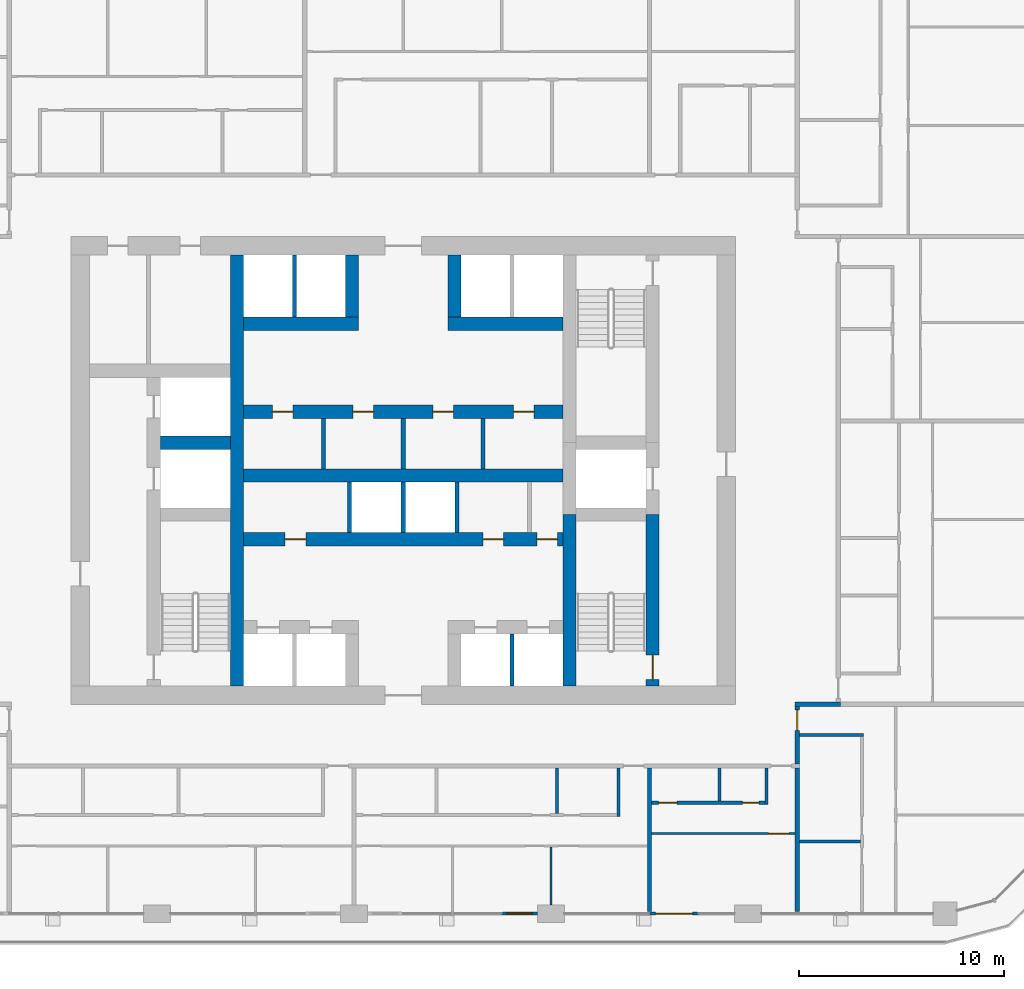
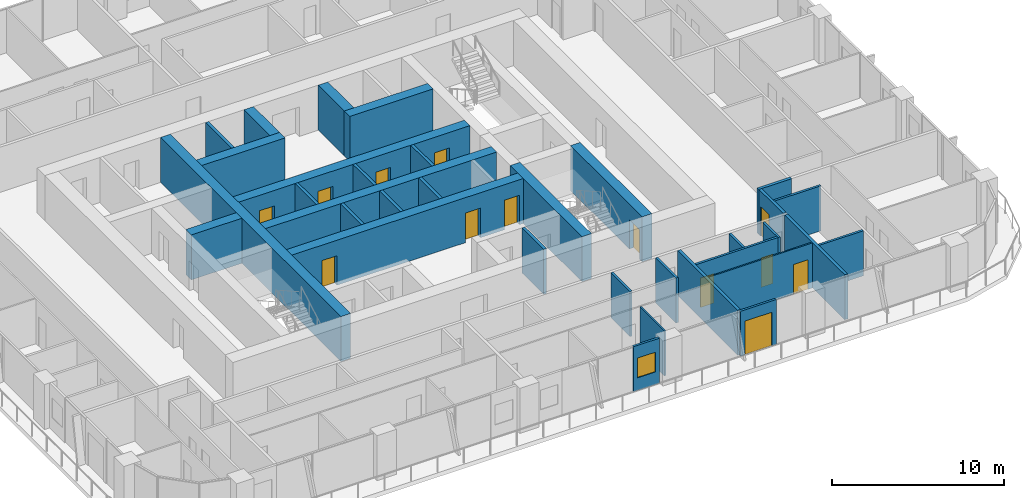
# One storey, part 11 of 21: 34 walls, 13 doors, 1 window, 14 openings.
"""IFC4 building model written with IfcOpenShell, lengths in metres."""

from ifc_helpers import new_model, si_unit, direction, frame, frame_2d, origin, place, context, subcontext, project, spatial, rectangle, extrude, material, layer, layer_set, type_object, element, fill, save


model = new_model("IFC4")

# Units and contexts
model_context = context("Model", 3, precision=1e-05, world=origin(), true_north=direction((0.0, 1.0)))
body_context = subcontext(model_context, "Body", "Model", "MODEL_VIEW")
ifc_project = project(units=[si_unit("LENGTHUNIT", "METRE"), si_unit("AREAUNIT", "SQUARE_METRE"), si_unit("VOLUMEUNIT", "CUBIC_METRE"), si_unit("PLANEANGLEUNIT", "RADIAN"), si_unit("MASSUNIT", "GRAM", prefix="KILO")], contexts=[model_context])

# Site, building, storey
site_placement = place(None, origin())
site = spatial("IfcSite", under=ifc_project, at=site_placement, CompositionType="ELEMENT")
building_placement = place(site_placement, origin())
building = spatial("IfcBuilding", under=site, at=building_placement, Name="Madar Terraces", CompositionType="ELEMENT")
storey_placement = place(building_placement, frame((0.0, 0.0, 92.699951171875)))
storey = spatial("IfcBuildingStorey", under=building, at=storey_placement, Name="L23", CompositionType="ELEMENT", Elevation=92.699951171875)

# Walls
ifc_material_1 = material(Name="Concrete C80/95", Category="concrete")
ifc_layer_1 = layer(ifc_material_1, 0.64990234375)
ifc_layer_set_1 = layer_set([ifc_layer_1], Name="Concrete C80/95 (CIW2 RC wall 650)")
wall_type_1 = type_object("IfcWallType", Name="CIW2 RC wall 650", PredefinedType="SHEAR", material=ifc_layer_set_1)
wall_1_placement = place(storey_placement, frame((23.10009765625, 15.89990234375, 0.0), z_axis=(0.0, 0.0, 1.0), x_axis=(0.0, 1.0, 0.0)))
element("IfcWall", 1, at=wall_1_placement, inside=storey, type_object=wall_type_1, Name="CORE SHAFT WALL", PredefinedType="SHEAR", context=body_context, shape_type="SweptSolid", body=[
    extrude(rectangle(XDim=21.0, YDim=0.64990234375, at=frame_2d((10.5, 0.0))), origin(), (0.0, 0.0, 1.0), 3.199951171875),
])
wall_2_placement = place(storey_placement, frame((39.300048828125, 15.89990234375, 0.0), z_axis=(0.0, 0.0, 1.0), x_axis=(0.0, 1.0, 0.0)))
element("IfcWall", 2, at=wall_2_placement, inside=storey, type_object=wall_type_1, Name="CORE SHAFT WALL", PredefinedType="SHEAR", context=body_context, shape_type="SweptSolid", body=[
    extrude(rectangle(XDim=8.35009765625, YDim=0.64990234375, at=frame_2d((4.175048828125, 0.0))), origin(), (0.0, 0.0, 1.0), 3.199951171875),
])

# Wall, opening, door
wall_3_placement = place(storey_placement, frame((43.35009765625, 15.89990234375, 0.0), z_axis=(0.0, 0.0, 1.0), x_axis=(0.0, 1.0, 0.0)))
wall_3 = element("IfcWall", 3, at=wall_3_placement, inside=storey, type_object=wall_type_1, Name="CORE SHAFT WALL", PredefinedType="SHEAR", context=body_context, shape_type="SweptSolid", body=[
    extrude(rectangle(XDim=8.35009765625, YDim=0.64990234375, at=frame_2d((4.175048828125, 0.0))), origin(), (0.0, 0.0, 1.0), 3.199951171875),
])
opening_1_placement = place(wall_3_placement, frame((0.300048828125, 0.0, 0.0)))
opening_1 = element("IfcOpeningElement", 4, at=opening_1_placement, cuts=wall_3, Name="Opening SD1", PredefinedType="OPENING", context=body_context, shape_type="SweptSolid", body=[
    extrude(rectangle(XDim=1.199951171875, YDim=2.10009765625, at=frame_2d((0.60009765625, 1.050048828125))), frame((0.0, 0.3349609375, 0.0), z_axis=(0.0, -1.0, 0.0), x_axis=(1.0, 0.0, 0.0)), (0.0, 0.0, 1.0), 0.669921875),
])
ifc_material_2 = material(Name="Steel door leaf", Category="steel")
door_type_1 = type_object("IfcDoorType", Name="Stair door 1200 x 2100", OperationType="NOTDEFINED", PredefinedType="DOOR", material=ifc_material_2)
door_1_placement = place(opening_1_placement, origin())
door_1 = element("IfcDoor", 5, at=door_1_placement, inside=storey, type_object=door_type_1, Name="STAIR DOOR", OperationType="SINGLE_SWING_RIGHT", OverallHeight=2.10009765625, OverallWidth=1.199951171875, PredefinedType="DOOR", context=body_context, shape_type="SweptSolid", body=[
    extrude(rectangle(XDim=1.199951171875, YDim=2.10009765625, at=frame_2d((0.60009765625, 1.050048828125))), frame((0.0, 0.02490234375, 0.0), z_axis=(0.0, -1.0, 0.0), x_axis=(1.0, 0.0, 0.0)), (0.0, 0.0, 1.0), 0.050048828125),
])
fill(opening_1, door_1)

# Wall
wall_4_placement = place(storey_placement, frame((19.375, 27.75, 0.0), z_axis=(0.0, 0.0, 1.0), x_axis=(1.0, 0.0, 0.0)))
element("IfcWall", 6, at=wall_4_placement, inside=storey, type_object=wall_type_1, Name="CORE SHAFT WALL", PredefinedType="SHEAR", context=body_context, shape_type="SweptSolid", body=[
    extrude(rectangle(XDim=3.39990234375, YDim=0.64990234375, at=frame_2d((1.699951171875, 0.0))), origin(), (0.0, 0.0, 1.0), 3.199951171875),
])

# Wall, openings, doors
wall_5_placement = place(storey_placement, frame((23.425048828125, 23.050048828125, 0.0), z_axis=(0.0, 0.0, 1.0), x_axis=(1.0, 0.0, 0.0)))
wall_5 = element("IfcWall", 7, at=wall_5_placement, inside=storey, type_object=wall_type_1, Name="CORE SHAFT WALL", PredefinedType="SHEAR", context=body_context, shape_type="SweptSolid", body=[
    extrude(rectangle(XDim=15.550048828125, YDim=0.64990234375, at=frame_2d((7.77490234375, 0.0))), origin(), (0.0, 0.0, 1.0), 3.199951171875),
])
opening_2_placement = place(wall_5_placement, frame((2.02490234375, 0.0, 0.0)))
opening_2 = element("IfcOpeningElement", 8, at=opening_2_placement, cuts=wall_5, Name="Opening KD2", PredefinedType="OPENING", context=body_context, shape_type="SweptSolid", body=[
    extrude(rectangle(XDim=1.0, YDim=2.10009765625, at=frame_2d((0.5, 1.050048828125))), frame((0.0, 0.3349609375, 0.0), z_axis=(0.0, -1.0, 0.0), x_axis=(1.0, 0.0, 0.0)), (0.0, 0.0, 1.0), 0.669921875),
])
opening_3_placement = place(wall_5_placement, frame((11.6669921875, 0.0, 0.0)))
opening_3 = element("IfcOpeningElement", 9, at=opening_3_placement, cuts=wall_5, Name="Opening KD2", PredefinedType="OPENING", context=body_context, shape_type="SweptSolid", body=[
    extrude(rectangle(XDim=1.0, YDim=2.10009765625, at=frame_2d((0.5, 1.050048828125))), frame((0.0, 0.3349609375, 0.0), z_axis=(0.0, -1.0, 0.0), x_axis=(1.0, 0.0, 0.0)), (0.0, 0.0, 1.0), 0.669921875),
])
opening_4_placement = place(wall_5_placement, frame((14.2919921875, 0.0, 0.0)))
opening_4 = element("IfcOpeningElement", 10, at=opening_4_placement, cuts=wall_5, Name="Opening KD2", PredefinedType="OPENING", context=body_context, shape_type="SweptSolid", body=[
    extrude(rectangle(XDim=1.0, YDim=2.10009765625, at=frame_2d((0.5, 1.050048828125))), frame((0.0, 0.3349609375, 0.0), z_axis=(0.0, -1.0, 0.0), x_axis=(1.0, 0.0, 0.0)), (0.0, 0.0, 1.0), 0.669921875),
])
ifc_material_3 = material(Name="Steel door leaf", Category="steel")
door_type_2 = type_object("IfcDoorType", Name="Service room door 1000 x 2100", OperationType="NOTDEFINED", PredefinedType="DOOR", material=ifc_material_3)
door_2_placement = place(opening_2_placement, frame((1.0, 0.0, 0.0), z_axis=(0.0, 0.0, 1.0), x_axis=(-1.0, 0.0, 0.0)))
door_2 = element("IfcDoor", 11, at=door_2_placement, inside=storey, type_object=door_type_2, Name="SERVICE ROOM DOOR", OperationType="SINGLE_SWING_RIGHT", OverallHeight=2.10009765625, OverallWidth=1.0, PredefinedType="DOOR", context=body_context, shape_type="SweptSolid", body=[
    extrude(rectangle(XDim=1.0, YDim=2.10009765625, at=frame_2d((0.5, 1.050048828125))), frame((0.0, 0.02490234375, 0.0), z_axis=(0.0, -1.0, 0.0), x_axis=(1.0, 0.0, 0.0)), (0.0, 0.0, 1.0), 0.050048828125),
])
fill(opening_2, door_2)
door_3_placement = place(opening_3_placement, frame((1.0, 0.0, 0.0), z_axis=(0.0, 0.0, 1.0), x_axis=(-1.0, 0.0, 0.0)))
door_3 = element("IfcDoor", 12, at=door_3_placement, inside=storey, type_object=door_type_2, Name="SERVICE ROOM DOOR", OperationType="SINGLE_SWING_LEFT", OverallHeight=2.10009765625, OverallWidth=1.0, PredefinedType="DOOR", context=body_context, shape_type="SweptSolid", body=[
    extrude(rectangle(XDim=1.0, YDim=2.10009765625, at=frame_2d((0.5, 1.050048828125))), frame((0.0, 0.02490234375, 0.0), z_axis=(0.0, -1.0, 0.0), x_axis=(1.0, 0.0, 0.0)), (0.0, 0.0, 1.0), 0.050048828125),
])
fill(opening_3, door_3)
door_4_placement = place(opening_4_placement, frame((1.0, 0.0, 0.0), z_axis=(0.0, 0.0, 1.0), x_axis=(-1.0, 0.0, 0.0)))
door_4 = element("IfcDoor", 13, at=door_4_placement, inside=storey, type_object=door_type_2, Name="SERVICE ROOM DOOR", OperationType="SINGLE_SWING_RIGHT", OverallHeight=2.10009765625, OverallWidth=1.0, PredefinedType="DOOR", context=body_context, shape_type="SweptSolid", body=[
    extrude(rectangle(XDim=1.0, YDim=2.10009765625, at=frame_2d((0.5, 1.050048828125))), frame((0.0, 0.02490234375, 0.0), z_axis=(0.0, -1.0, 0.0), x_axis=(1.0, 0.0, 0.0)), (0.0, 0.0, 1.0), 0.050048828125),
])
fill(opening_4, door_4)

# Wall
wall_6_placement = place(storey_placement, frame((23.425048828125, 26.14990234375, 0.0), z_axis=(0.0, 0.0, 1.0), x_axis=(1.0, 0.0, 0.0)))
element("IfcWall", 14, at=wall_6_placement, inside=storey, type_object=wall_type_1, Name="CORE SHAFT WALL", PredefinedType="SHEAR", context=body_context, shape_type="SweptSolid", body=[
    extrude(rectangle(XDim=15.550048828125, YDim=0.64990234375, at=frame_2d((7.77490234375, 0.0))), origin(), (0.0, 0.0, 1.0), 3.199951171875),
])

# Wall, openings, doors
wall_7_placement = place(storey_placement, frame((23.425048828125, 29.25, 0.0), z_axis=(0.0, 0.0, 1.0), x_axis=(1.0, 0.0, 0.0)))
wall_7 = element("IfcWall", 15, at=wall_7_placement, inside=storey, type_object=wall_type_1, Name="CORE SHAFT WALL", PredefinedType="SHEAR", context=body_context, shape_type="SweptSolid", body=[
    extrude(rectangle(XDim=15.550048828125, YDim=0.64990234375, at=frame_2d((7.77490234375, 0.0))), origin(), (0.0, 0.0, 1.0), 3.199951171875),
])
opening_5_placement = place(wall_7_placement, frame((1.393798828125, 0.0, 0.0)))
opening_5 = element("IfcOpeningElement", 16, at=opening_5_placement, cuts=wall_7, Name="Opening KD2", PredefinedType="OPENING", context=body_context, shape_type="SweptSolid", body=[
    extrude(rectangle(XDim=1.0, YDim=2.10009765625, at=frame_2d((0.5, 1.050048828125))), frame((0.0, 0.3349609375, 0.0), z_axis=(0.0, -1.0, 0.0), x_axis=(1.0, 0.0, 0.0)), (0.0, 0.0, 1.0), 0.669921875),
])
opening_6_placement = place(wall_7_placement, frame((5.331298828125, 0.0, 0.0)))
opening_6 = element("IfcOpeningElement", 17, at=opening_6_placement, cuts=wall_7, Name="Opening KD2", PredefinedType="OPENING", context=body_context, shape_type="SweptSolid", body=[
    extrude(rectangle(XDim=1.0, YDim=2.10009765625, at=frame_2d((0.5, 1.050048828125))), frame((0.0, 0.3349609375, 0.0), z_axis=(0.0, -1.0, 0.0), x_axis=(1.0, 0.0, 0.0)), (0.0, 0.0, 1.0), 0.669921875),
])
opening_7_placement = place(wall_7_placement, frame((9.21875, 0.0, 0.0)))
opening_7 = element("IfcOpeningElement", 18, at=opening_7_placement, cuts=wall_7, Name="Opening KD2", PredefinedType="OPENING", context=body_context, shape_type="SweptSolid", body=[
    extrude(rectangle(XDim=1.0, YDim=2.10009765625, at=frame_2d((0.5, 1.050048828125))), frame((0.0, 0.3349609375, 0.0), z_axis=(0.0, -1.0, 0.0), x_axis=(1.0, 0.0, 0.0)), (0.0, 0.0, 1.0), 0.669921875),
])
opening_8_placement = place(wall_7_placement, frame((13.15625, 0.0, 0.0)))
opening_8 = element("IfcOpeningElement", 19, at=opening_8_placement, cuts=wall_7, Name="Opening KD2", PredefinedType="OPENING", context=body_context, shape_type="SweptSolid", body=[
    extrude(rectangle(XDim=1.0, YDim=2.10009765625, at=frame_2d((0.5, 1.050048828125))), frame((0.0, 0.3349609375, 0.0), z_axis=(0.0, -1.0, 0.0), x_axis=(1.0, 0.0, 0.0)), (0.0, 0.0, 1.0), 0.669921875),
])
door_5_placement = place(opening_5_placement, origin())
door_5 = element("IfcDoor", 20, at=door_5_placement, inside=storey, type_object=door_type_2, Name="SERVICE ROOM DOOR", OperationType="SINGLE_SWING_LEFT", OverallHeight=2.10009765625, OverallWidth=1.0, PredefinedType="DOOR", context=body_context, shape_type="SweptSolid", body=[
    extrude(rectangle(XDim=1.0, YDim=2.10009765625, at=frame_2d((0.5, 1.050048828125))), frame((0.0, 0.02490234375, 0.0), z_axis=(0.0, -1.0, 0.0), x_axis=(1.0, 0.0, 0.0)), (0.0, 0.0, 1.0), 0.050048828125),
])
fill(opening_5, door_5)
door_6_placement = place(opening_6_placement, origin())
door_6 = element("IfcDoor", 21, at=door_6_placement, inside=storey, type_object=door_type_2, Name="SERVICE ROOM DOOR", OperationType="SINGLE_SWING_RIGHT", OverallHeight=2.10009765625, OverallWidth=1.0, PredefinedType="DOOR", context=body_context, shape_type="SweptSolid", body=[
    extrude(rectangle(XDim=1.0, YDim=2.10009765625, at=frame_2d((0.5, 1.050048828125))), frame((0.0, 0.02490234375, 0.0), z_axis=(0.0, -1.0, 0.0), x_axis=(1.0, 0.0, 0.0)), (0.0, 0.0, 1.0), 0.050048828125),
])
fill(opening_6, door_6)
door_7_placement = place(opening_7_placement, origin())
door_7 = element("IfcDoor", 22, at=door_7_placement, inside=storey, type_object=door_type_2, Name="SERVICE ROOM DOOR", OperationType="SINGLE_SWING_LEFT", OverallHeight=2.10009765625, OverallWidth=1.0, PredefinedType="DOOR", context=body_context, shape_type="SweptSolid", body=[
    extrude(rectangle(XDim=1.0, YDim=2.10009765625, at=frame_2d((0.5, 1.050048828125))), frame((0.0, 0.02490234375, 0.0), z_axis=(0.0, -1.0, 0.0), x_axis=(1.0, 0.0, 0.0)), (0.0, 0.0, 1.0), 0.050048828125),
])
fill(opening_7, door_7)
door_8_placement = place(opening_8_placement, origin())
door_8 = element("IfcDoor", 23, at=door_8_placement, inside=storey, type_object=door_type_2, Name="SERVICE ROOM DOOR", OperationType="SINGLE_SWING_RIGHT", OverallHeight=2.10009765625, OverallWidth=1.0, PredefinedType="DOOR", context=body_context, shape_type="SweptSolid", body=[
    extrude(rectangle(XDim=1.0, YDim=2.10009765625, at=frame_2d((0.5, 1.050048828125))), frame((0.0, 0.02490234375, 0.0), z_axis=(0.0, -1.0, 0.0), x_axis=(1.0, 0.0, 0.0)), (0.0, 0.0, 1.0), 0.050048828125),
])
fill(opening_8, door_8)

# Walls
wall_8_placement = place(storey_placement, frame((23.425048828125, 33.550048828125, 0.0), z_axis=(0.0, 0.0, 1.0), x_axis=(1.0, 0.0, 0.0)))
element("IfcWall", 24, at=wall_8_placement, inside=storey, type_object=wall_type_1, Name="CORE SHAFT WALL", PredefinedType="SHEAR", context=body_context, shape_type="SweptSolid", body=[
    extrude(rectangle(XDim=5.599853515625, YDim=0.64990234375, at=frame_2d((2.7998046875, 0.0))), origin(), (0.0, 0.0, 1.0), 3.199951171875),
])
wall_9_placement = place(storey_placement, frame((33.375, 33.550048828125, 0.0), z_axis=(0.0, 0.0, 1.0), x_axis=(1.0, 0.0, 0.0)))
element("IfcWall", 25, at=wall_9_placement, inside=storey, type_object=wall_type_1, Name="CORE SHAFT WALL", PredefinedType="SHEAR", context=body_context, shape_type="SweptSolid", body=[
    extrude(rectangle(XDim=5.60009765625, YDim=0.64990234375, at=frame_2d((2.800048828125, 0.0))), origin(), (0.0, 0.0, 1.0), 3.199951171875),
])
for number, where, z_axis, x_axis, name in (
    (26, (28.699951171875, 33.875, 0.0), (0.0, 0.0, 1.0), (0.0, 1.0, 0.0), "CORE SHAFT WALL"),
    (27, (33.699951171875, 33.875, 0.0), (0.0, 0.0, 1.0), (0.0, 1.0, 0.0), "CORE SHAFT WALL"),
):
    element("IfcWall", number, at=place(storey_placement, frame(where, z_axis=z_axis, x_axis=x_axis)), inside=storey, type_object=wall_type_1, Name=name, PredefinedType="SHEAR", context=body_context, shape_type="SweptSolid", body=[
        extrude(rectangle(XDim=3.02490234375, YDim=0.64990234375, at=frame_2d((1.512451171875, 0.0))), origin(), (0.0, 0.0, 1.0), 3.199951171875),
    ])
ifc_material_4 = material(Name="Masonry blockwork", Category="masonry")
ifc_layer_2 = layer(ifc_material_4, 0.199951171875)
ifc_layer_set_2 = layer_set([ifc_layer_2], Name="Core partition 200 blockwork")
wall_type_2 = type_object("IfcWallType", Name="Core partition 200 blockwork", PredefinedType="PARTITIONING", material=ifc_layer_set_2)
for number, where, z_axis, x_axis, name in (
    (28, (27.3125, 26.47509765625, 0.0), (0.0, 0.0, 1.0), (0.0, 1.0, 0.0), "SERVICE ROOM PARTITION"),
    (29, (31.199951171875, 26.47509765625, 0.0), (0.0, 0.0, 1.0), (0.0, 1.0, 0.0), "SERVICE ROOM PARTITION"),
    (30, (35.08740234375, 26.47509765625, 0.0), (0.0, 0.0, 1.0), (0.0, 1.0, 0.0), "SERVICE ROOM PARTITION"),
):
    element("IfcWall", number, at=place(storey_placement, frame(where, z_axis=z_axis, x_axis=x_axis)), inside=storey, type_object=wall_type_2, Name=name, PredefinedType="PARTITIONING", context=body_context, shape_type="SweptSolid", body=[
        extrude(rectangle(XDim=2.449951171875, YDim=0.199951171875, at=frame_2d((1.22509765625, 0.0))), origin(), (0.0, 0.0, 1.0), 3.199951171875),
    ])
ifc_material_5 = material(Name="Concrete C40/50", Category="concrete")
ifc_layer_3 = layer(ifc_material_5, 0.199951171875)
ifc_layer_set_3 = layer_set([ifc_layer_3], Name="Core shaft dividing wall 200 C40/50")
wall_type_3 = type_object("IfcWallType", Name="Core shaft dividing wall 200 C40/50", PredefinedType="SOLIDWALL", material=ifc_layer_set_3)
for number, where, z_axis, x_axis, name in (
    (31, (28.574951171875, 23.375, 0.0), (0.0, 0.0, 1.0), (0.0, 1.0, 0.0), "SHAFT DIVIDING WALL"),
    (32, (31.199951171875, 23.375, 0.0), (0.0, 0.0, 1.0), (0.0, 1.0, 0.0), "SHAFT DIVIDING WALL"),
    (33, (33.824951171875, 23.375, 0.0), (0.0, 0.0, 1.0), (0.0, 1.0, 0.0), "SHAFT DIVIDING WALL"),
):
    element("IfcWall", number, at=place(storey_placement, frame(where, z_axis=z_axis, x_axis=x_axis)), inside=storey, type_object=wall_type_3, Name=name, PredefinedType="SOLIDWALL", context=body_context, shape_type="SweptSolid", body=[
        extrude(rectangle(XDim=2.449951171875, YDim=0.199951171875, at=frame_2d((1.22509765625, 0.0))), origin(), (0.0, 0.0, 1.0), 3.199951171875),
    ])
wall_10_placement = place(storey_placement, frame((25.89990234375, 33.875, 0.0), z_axis=(0.0, 0.0, 1.0), x_axis=(0.0, 1.0, 0.0)))
element("IfcWall", 34, at=wall_10_placement, inside=storey, type_object=wall_type_3, Name="SHAFT DIVIDING WALL", PredefinedType="SOLIDWALL", context=body_context, shape_type="SweptSolid", body=[
    extrude(rectangle(XDim=3.02490234375, YDim=0.199951171875, at=frame_2d((1.512451171875, 0.0))), origin(), (0.0, 0.0, 1.0), 3.199951171875),
])
wall_11_placement = place(storey_placement, frame((36.5, 15.89990234375, 0.0), z_axis=(0.0, 0.0, 1.0), x_axis=(0.0, 1.0, 0.0)))
element("IfcWall", 35, at=wall_11_placement, inside=storey, type_object=wall_type_3, Name="SHAFT DIVIDING WALL", PredefinedType="SOLIDWALL", context=body_context, shape_type="SweptSolid", body=[
    extrude(rectangle(XDim=2.525146484375, YDim=0.199951171875, at=frame_2d((1.2626953125, 0.0))), origin(), (0.0, 0.0, 1.0), 3.199951171875),
])

# Wall, opening, window
ifc_material_6 = material(Name="Aluminium composite panel, black, over insulated backing", Category="aluminium")
ifc_layer_4 = layer(ifc_material_6, 0.14990234375)
ifc_layer_set_4 = layer_set([ifc_layer_4], Name="Facade bay panel 150")
wall_type_4 = type_object("IfcWallType", Name="Facade bay panel 150", PredefinedType="SOLIDWALL", material=ifc_layer_set_4)
wall_12_placement = place(storey_placement, frame((36.0, 4.800048828125, 0.0), z_axis=(0.0, 0.0, 1.0), x_axis=(1.0, 0.0, 0.0)))
wall_12 = element("IfcWall", 36, at=wall_12_placement, inside=storey, type_object=wall_type_4, Name="Facade bay panel", PredefinedType="SOLIDWALL", context=body_context, shape_type="SweptSolid", body=[
    extrude(rectangle(XDim=1.75, YDim=0.14990234375, at=frame_2d((0.875, 0.0))), origin(), (0.0, 0.0, 1.0), 3.199951171875),
])
opening_9_placement = place(wall_12_placement, frame((0.27490234375, 0.0, 0.89990234375)))
opening_9 = element("IfcOpeningElement", 37, at=opening_9_placement, cuts=wall_12, Name="Opening W1", PredefinedType="OPENING", context=body_context, shape_type="SweptSolid", body=[
    extrude(rectangle(XDim=1.199951171875, YDim=1.39990234375, at=frame_2d((0.60009765625, 0.699951171875))), frame((0.0, 0.0849609375, 0.0), z_axis=(0.0, -1.0, 0.0), x_axis=(1.0, 0.0, 0.0)), (0.0, 0.0, 1.0), 0.169921875),
])
ifc_material_7 = material(Name="Glass, clear, with black aluminium frame", Category="aluminium")
window_type = type_object("IfcWindowType", Name="Vent window 1200 x 1400", PartitioningType="SINGLE_PANEL", PredefinedType="WINDOW", material=ifc_material_7)
window_placement = place(opening_9_placement, origin())
window = element("IfcWindow", 38, at=window_placement, inside=storey, type_object=window_type, Name="Operable vent window", OverallHeight=1.39990234375, OverallWidth=1.199951171875, PartitioningType="SINGLE_PANEL", PredefinedType="WINDOW", context=body_context, shape_type="SweptSolid", body=[
    extrude(rectangle(XDim=1.199951171875, YDim=1.39990234375, at=frame_2d((0.60009765625, 0.699951171875))), frame((0.0, 0.030029296875, 0.0), z_axis=(0.0, -1.0, 0.0), x_axis=(1.0, 0.0, 0.0)), (0.0, 0.0, 1.0), 0.06005859375),
])
fill(opening_9, window)

# Wall, opening, door
wall_13_placement = place(storey_placement, frame((43.199951171875, 4.800048828125, 0.0), z_axis=(0.0, 0.0, 1.0), x_axis=(1.0, 0.0, 0.0)))
wall_13 = element("IfcWall", 39, at=wall_13_placement, inside=storey, type_object=wall_type_4, Name="Facade bay panel", PredefinedType="SOLIDWALL", context=body_context, shape_type="SweptSolid", body=[
    extrude(rectangle(XDim=2.400146484375, YDim=0.14990234375, at=frame_2d((1.2001953125, 0.0))), origin(), (0.0, 0.0, 1.0), 3.199951171875),
])
opening_10_placement = place(wall_13_placement, frame((0.300048828125, 0.0, 0.0)))
opening_10 = element("IfcOpeningElement", 40, at=opening_10_placement, cuts=wall_13, Name="Opening ED1", PredefinedType="OPENING", context=body_context, shape_type="SweptSolid", body=[
    extrude(rectangle(XDim=1.800048828125, YDim=2.39990234375, at=frame_2d((0.89990234375, 1.199951171875))), frame((0.0, 0.0849609375, 0.0), z_axis=(0.0, -1.0, 0.0), x_axis=(1.0, 0.0, 0.0)), (0.0, 0.0, 1.0), 0.169921875),
])
ifc_material_8 = material(Name="Glass, clear, with black aluminium frame", Category="aluminium")
door_type_3 = type_object("IfcDoorType", Name="Balcony and terrace sliding door 1800 x 2400", OperationType="SLIDING_TO_LEFT", PredefinedType="DOOR", material=ifc_material_8)
door_9_placement = place(opening_10_placement, origin())
door_9 = element("IfcDoor", 41, at=door_9_placement, inside=storey, type_object=door_type_3, Name="Balcony door", OperationType="SLIDING_TO_LEFT", OverallHeight=2.39990234375, OverallWidth=1.800048828125, PredefinedType="DOOR", context=body_context, shape_type="SweptSolid", body=[
    extrude(rectangle(XDim=1.800048828125, YDim=2.39990234375, at=frame_2d((0.89990234375, 1.199951171875))), frame((0.0, 0.02490234375, 0.0), z_axis=(0.0, -1.0, 0.0), x_axis=(1.0, 0.0, 0.0)), (0.0, 0.0, 1.0), 0.050048828125),
])
fill(opening_10, door_9)

# Wall
ifc_material_9 = material(Name="Gypsum board on steel studs", Category="steel")
ifc_layer_5 = layer(ifc_material_9, 0.10009765625)
ifc_layer_set_5 = layer_set([ifc_layer_5], Name="Flat partition 100")
wall_type_5 = type_object("IfcWallType", Name="Flat partition 100", PredefinedType="PARTITIONING", material=ifc_layer_set_5)
wall_14_placement = place(storey_placement, frame((38.39990234375, 8.050048828125, 0.0), z_axis=(0.0, 0.0, 1.0), x_axis=(0.0, -1.0, 0.0)))
element("IfcWall", 42, at=wall_14_placement, inside=storey, type_object=wall_type_5, Name="Flat partition 100", PredefinedType="PARTITIONING", context=body_context, shape_type="SweptSolid", body=[
    extrude(rectangle(XDim=2.824951171875, YDim=0.10009765625, at=frame_2d((1.41259765625, 0.0))), origin(), (0.0, 0.0, 1.0), 3.199951171875),
])

# Wall, opening, door
wall_15_placement = place(storey_placement, frame((50.300048828125, 8.699951171875, 0.0), z_axis=(0.0, 0.0, 1.0), x_axis=(-1.0, 0.0, 0.0)))
wall_15 = element("IfcWall", 43, at=wall_15_placement, inside=storey, type_object=wall_type_5, Name="Flat partition 100", PredefinedType="PARTITIONING", context=body_context, shape_type="SweptSolid", body=[
    extrude(rectangle(XDim=7.0, YDim=0.10009765625, at=frame_2d((3.5, 0.0))), origin(), (0.0, 0.0, 1.0), 3.199951171875),
])
opening_11_placement = place(wall_15_placement, frame((0.300048828125, 0.0, 0.0)))
opening_11 = element("IfcOpeningElement", 44, at=opening_11_placement, cuts=wall_15, Name="Opening D3", PredefinedType="OPENING", context=body_context, shape_type="SweptSolid", body=[
    extrude(rectangle(XDim=1.0, YDim=2.10009765625, at=frame_2d((0.5, 1.050048828125))), frame((0.0, 0.06005859375, 0.0), z_axis=(0.0, -1.0, 0.0), x_axis=(1.0, 0.0, 0.0)), (0.0, 0.0, 1.0), 0.1201171875),
])
ifc_material_10 = material(Name="Timber door leaf", Category="wood")
door_type_4 = type_object("IfcDoorType", Name="Flat living room door 1000", OperationType="NOTDEFINED", PredefinedType="DOOR", material=ifc_material_10)
door_10_placement = place(opening_11_placement, origin())
door_10 = element("IfcDoor", 45, at=door_10_placement, inside=storey, type_object=door_type_4, Name="Flat living room door 1000", OperationType="SINGLE_SWING_LEFT", OverallHeight=2.10009765625, OverallWidth=1.0, PredefinedType="DOOR", context=body_context, shape_type="SweptSolid", body=[
    extrude(rectangle(XDim=1.0, YDim=2.10009765625, at=frame_2d((0.5, 1.050048828125))), frame((0.0, 0.02490234375, 0.0), z_axis=(0.0, -1.0, 0.0), x_axis=(1.0, 0.0, 0.0)), (0.0, 0.0, 1.0), 0.050048828125),
])
fill(opening_11, door_10)

ifc_material_11 = material(Name="Lightweight blockwork", Category="masonry")
ifc_layer_6 = layer(ifc_material_11, 0.199951171875)
ifc_layer_set_6 = layer_set([ifc_layer_6], Name="Flat party and entrance wall 200")
wall_type_6 = type_object("IfcWallType", Name="Flat party and entrance wall 200", PredefinedType="PARTITIONING", material=ifc_layer_set_6)
wall_16_placement = place(storey_placement, frame((50.39990234375, 14.89990234375, 0.0), z_axis=(0.0, 0.0, 1.0), x_axis=(0.0, -1.0, 0.0)))
wall_16 = element("IfcWall", 46, at=wall_16_placement, inside=storey, type_object=wall_type_6, Name="Flat party and entrance wall 200", PredefinedType="PARTITIONING", context=body_context, shape_type="SweptSolid", body=[
    extrude(rectangle(XDim=2.7998046875, YDim=0.199951171875, at=frame_2d((1.39990234375, 0.0))), origin(), (0.0, 0.0, 1.0), 3.199951171875),
])
opening_12_placement = place(wall_16_placement, frame((0.175048828125, 0.0, 0.0)))
opening_12 = element("IfcOpeningElement", 47, at=opening_12_placement, cuts=wall_16, Name="Opening D1", PredefinedType="OPENING", context=body_context, shape_type="SweptSolid", body=[
    extrude(rectangle(XDim=1.0, YDim=2.10009765625, at=frame_2d((0.5, 1.050048828125))), frame((0.0, 0.10986328125, 0.0), z_axis=(0.0, -1.0, 0.0), x_axis=(1.0, 0.0, 0.0)), (0.0, 0.0, 1.0), 0.219970703125),
])
ifc_material_12 = material(Name="Timber fire door leaf", Category="wood")
door_type_5 = type_object("IfcDoorType", Name="Flat entrance door 1000 FD30S", OperationType="NOTDEFINED", PredefinedType="DOOR", material=ifc_material_12)
door_11_placement = place(opening_12_placement, origin())
door_11 = element("IfcDoor", 48, at=door_11_placement, inside=storey, type_object=door_type_5, Name="Flat entrance door 1000 FD30S", OperationType="SINGLE_SWING_LEFT", OverallHeight=2.10009765625, OverallWidth=1.0, PredefinedType="DOOR", context=body_context, shape_type="SweptSolid", body=[
    extrude(rectangle(XDim=1.0, YDim=2.10009765625, at=frame_2d((0.5, 1.050048828125))), frame((0.0, 0.02490234375, 0.0), z_axis=(0.0, -1.0, 0.0), x_axis=(1.0, 0.0, 0.0)), (0.0, 0.0, 1.0), 0.050048828125),
])
fill(opening_12, door_11)

# Walls
wall_17_placement = place(storey_placement, frame((50.300048828125, 15.0, 0.0), z_axis=(0.0, 0.0, 1.0), x_axis=(1.0, 0.0, 0.0)))
element("IfcWall", 49, at=wall_17_placement, inside=storey, type_object=wall_type_6, Name="Flat party and entrance wall 200", PredefinedType="PARTITIONING", context=body_context, shape_type="SweptSolid", body=[
    extrude(rectangle(XDim=2.199951171875, YDim=0.199951171875, at=frame_2d((1.10009765625, 0.0))), origin(), (0.0, 0.0, 1.0), 3.199951171875),
])
for number, where, z_axis, x_axis, name in (
    (50, (43.199951171875, 11.89990234375, 0.0), (0.0, 0.0, 1.0), (0.0, -1.0, 0.0), "Flat party and entrance wall 200"),
    (51, (50.39990234375, 11.89990234375, 0.0), (0.0, 0.0, 1.0), (0.0, -1.0, 0.0), "Flat party and entrance wall 200"),
):
    element("IfcWall", number, at=place(storey_placement, frame(where, z_axis=z_axis, x_axis=x_axis)), inside=storey, type_object=wall_type_6, Name=name, PredefinedType="PARTITIONING", context=body_context, shape_type="SweptSolid", body=[
        extrude(rectangle(XDim=7.0, YDim=0.199951171875, at=frame_2d((3.5, 0.0))), origin(), (0.0, 0.0, 1.0), 3.199951171875),
    ])
ifc_material_13 = material(Name="Lightweight blockwork", Category="masonry")
ifc_layer_7 = layer(ifc_material_13, 0.14990234375)
ifc_layer_set_7 = layer_set([ifc_layer_7], Name="Flat wet-room partition 150")
wall_type_7 = type_object("IfcWallType", Name="Flat wet-room partition 150", PredefinedType="PARTITIONING", material=ifc_layer_set_7)
wall_18_placement = place(storey_placement, frame((38.6884765625, 11.89990234375, 0.0), z_axis=(0.0, 0.0, 1.0), x_axis=(0.0, -1.0, 0.0)))
element("IfcWall", 52, at=wall_18_placement, inside=storey, type_object=wall_type_7, Name="Flat wet-room partition 150", PredefinedType="PARTITIONING", context=body_context, shape_type="SweptSolid", body=[
    extrude(rectangle(XDim=2.224853515625, YDim=0.14990234375, at=frame_2d((1.1123046875, 0.0))), origin(), (0.0, 0.0, 1.0), 3.199951171875),
])
wall_19_placement = place(storey_placement, frame((41.699951171875, 11.89990234375, 0.0), z_axis=(0.0, 0.0, 1.0), x_axis=(0.0, -1.0, 0.0)))
element("IfcWall", 53, at=wall_19_placement, inside=storey, type_object=wall_type_7, Name="Flat wet-room partition 150", PredefinedType="PARTITIONING", context=body_context, shape_type="SweptSolid", body=[
    extrude(rectangle(XDim=2.375, YDim=0.14990234375, at=frame_2d((1.1875, 0.0))), origin(), (0.0, 0.0, 1.0), 3.199951171875),
])
wall_20_placement = place(storey_placement, frame((46.614990234375, 11.89990234375, 0.0), z_axis=(0.0, 0.0, 1.0), x_axis=(0.0, -1.0, 0.0)))
element("IfcWall", 54, at=wall_20_placement, inside=storey, type_object=wall_type_7, Name="Flat wet-room partition 150", PredefinedType="PARTITIONING", context=body_context, shape_type="SweptSolid", body=[
    extrude(rectangle(XDim=1.625, YDim=0.14990234375, at=frame_2d((0.8125, 0.0))), origin(), (0.0, 0.0, 1.0), 3.199951171875),
])
wall_21_placement = place(storey_placement, frame((48.89990234375, 11.89990234375, 0.0), z_axis=(0.0, 0.0, 1.0), x_axis=(0.0, -1.0, 0.0)))
element("IfcWall", 55, at=wall_21_placement, inside=storey, type_object=wall_type_7, Name="Flat wet-room partition 150", PredefinedType="PARTITIONING", context=body_context, shape_type="SweptSolid", body=[
    extrude(rectangle(XDim=1.77490234375, YDim=0.14990234375, at=frame_2d((0.887451171875, 0.0))), origin(), (0.0, 0.0, 1.0), 3.199951171875),
])

# Wall, openings, doors
wall_22_placement = place(storey_placement, frame((43.300048828125, 10.199951171875, 0.0), z_axis=(0.0, 0.0, 1.0), x_axis=(1.0, 0.0, 0.0)))
wall_22 = element("IfcWall", 56, at=wall_22_placement, inside=storey, type_object=wall_type_7, Name="Flat wet-room partition 150", PredefinedType="PARTITIONING", context=body_context, shape_type="SweptSolid", body=[
    extrude(rectangle(XDim=5.52490234375, YDim=0.14990234375, at=frame_2d((2.762451171875, 0.0))), origin(), (0.0, 0.0, 1.0), 3.199951171875),
])
opening_13_placement = place(wall_22_placement, frame((4.425048828125, 0.0, 0.0)))
opening_13 = element("IfcOpeningElement", 57, at=opening_13_placement, cuts=wall_22, Name="Opening D4", PredefinedType="OPENING", context=body_context, shape_type="SweptSolid", body=[
    extrude(rectangle(XDim=0.800048828125, YDim=2.10009765625, at=frame_2d((0.39990234375, 1.050048828125))), frame((0.0, 0.0849609375, 0.0), z_axis=(0.0, -1.0, 0.0), x_axis=(1.0, 0.0, 0.0)), (0.0, 0.0, 1.0), 0.169921875),
])
opening_14_placement = place(wall_22_placement, frame((0.35009765625, 0.0, 0.0)))
opening_14 = element("IfcOpeningElement", 58, at=opening_14_placement, cuts=wall_22, Name="Opening D2", PredefinedType="OPENING", context=body_context, shape_type="SweptSolid", body=[
    extrude(rectangle(XDim=0.89990234375, YDim=2.10009765625, at=frame_2d((0.449951171875, 1.050048828125))), frame((0.0, 0.0849609375, 0.0), z_axis=(0.0, -1.0, 0.0), x_axis=(1.0, 0.0, 0.0)), (0.0, 0.0, 1.0), 0.169921875),
])
ifc_material_14 = material(Name="Timber door leaf", Category="wood")
door_type_6 = type_object("IfcDoorType", Name="Flat bathroom door 800", OperationType="NOTDEFINED", PredefinedType="DOOR", material=ifc_material_14)
door_12_placement = place(opening_13_placement, origin())
door_12 = element("IfcDoor", 59, at=door_12_placement, inside=storey, type_object=door_type_6, Name="Flat bathroom door 800", OperationType="SINGLE_SWING_RIGHT", OverallHeight=2.10009765625, OverallWidth=0.800048828125, PredefinedType="DOOR", context=body_context, shape_type="SweptSolid", body=[
    extrude(rectangle(XDim=0.800048828125, YDim=2.10009765625, at=frame_2d((0.39990234375, 1.050048828125))), frame((0.0, 0.02490234375, 0.0), z_axis=(0.0, -1.0, 0.0), x_axis=(1.0, 0.0, 0.0)), (0.0, 0.0, 1.0), 0.050048828125),
])
fill(opening_13, door_12)
ifc_material_15 = material(Name="Timber door leaf", Category="wood")
door_type_7 = type_object("IfcDoorType", Name="Flat room door 900", OperationType="NOTDEFINED", PredefinedType="DOOR", material=ifc_material_15)
door_13_placement = place(opening_14_placement, origin())
door_13 = element("IfcDoor", 60, at=door_13_placement, inside=storey, type_object=door_type_7, Name="Flat room door 900", OperationType="SINGLE_SWING_LEFT", OverallHeight=2.10009765625, OverallWidth=0.89990234375, PredefinedType="DOOR", context=body_context, shape_type="SweptSolid", body=[
    extrude(rectangle(XDim=0.89990234375, YDim=2.10009765625, at=frame_2d((0.449951171875, 1.050048828125))), frame((0.0, 0.02490234375, 0.0), z_axis=(0.0, -1.0, 0.0), x_axis=(1.0, 0.0, 0.0)), (0.0, 0.0, 1.0), 0.050048828125),
])
fill(opening_14, door_13)

# Walls
wall_23_placement = place(storey_placement, frame((50.5, 8.31005859375, 0.0), z_axis=(0.0, 0.0, 1.0), x_axis=(1.0, 0.0, 0.0)))
element("IfcWall", 61, at=wall_23_placement, inside=storey, type_object=wall_type_7, Name="Flat wet-room partition 150", PredefinedType="PARTITIONING", context=body_context, shape_type="SweptSolid", body=[
    extrude(rectangle(XDim=2.97509765625, YDim=0.14990234375, at=frame_2d((1.487548828125, 0.0))), origin(), (0.0, 0.0, 1.0), 3.199951171875),
])
wall_24_placement = place(storey_placement, frame((50.5, 13.5, 0.0), z_axis=(0.0, 0.0, 1.0), x_axis=(1.0, 0.0, 0.0)))
element("IfcWall", 62, at=wall_24_placement, inside=storey, type_object=wall_type_7, Name="Flat wet-room partition 150", PredefinedType="PARTITIONING", context=body_context, shape_type="SweptSolid", body=[
    extrude(rectangle(XDim=3.125, YDim=0.14990234375, at=frame_2d((1.5625, 0.0))), origin(), (0.0, 0.0, 1.0), 3.199951171875),
])

save(model, "model.ifc")
